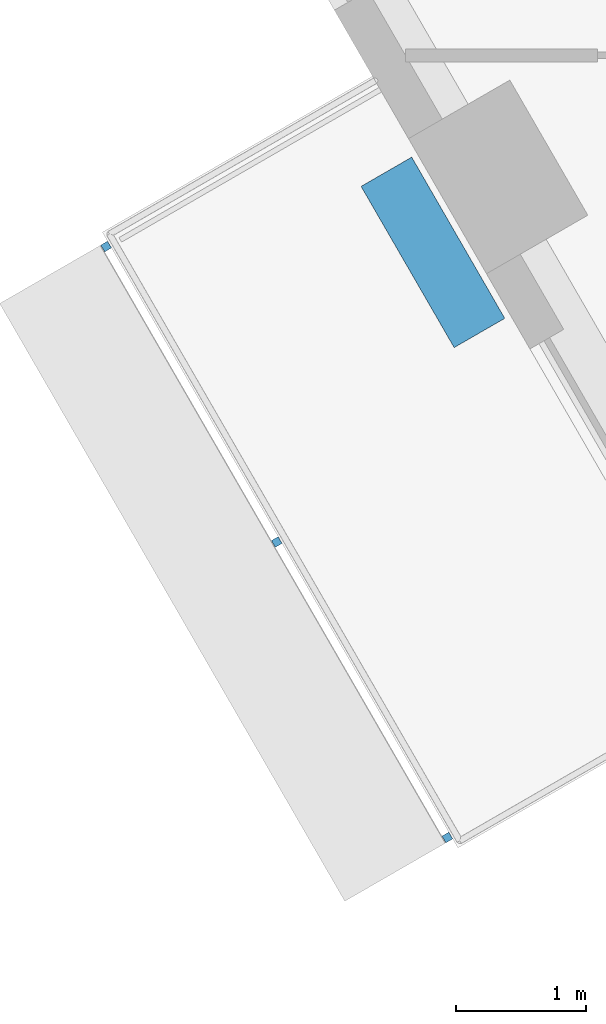
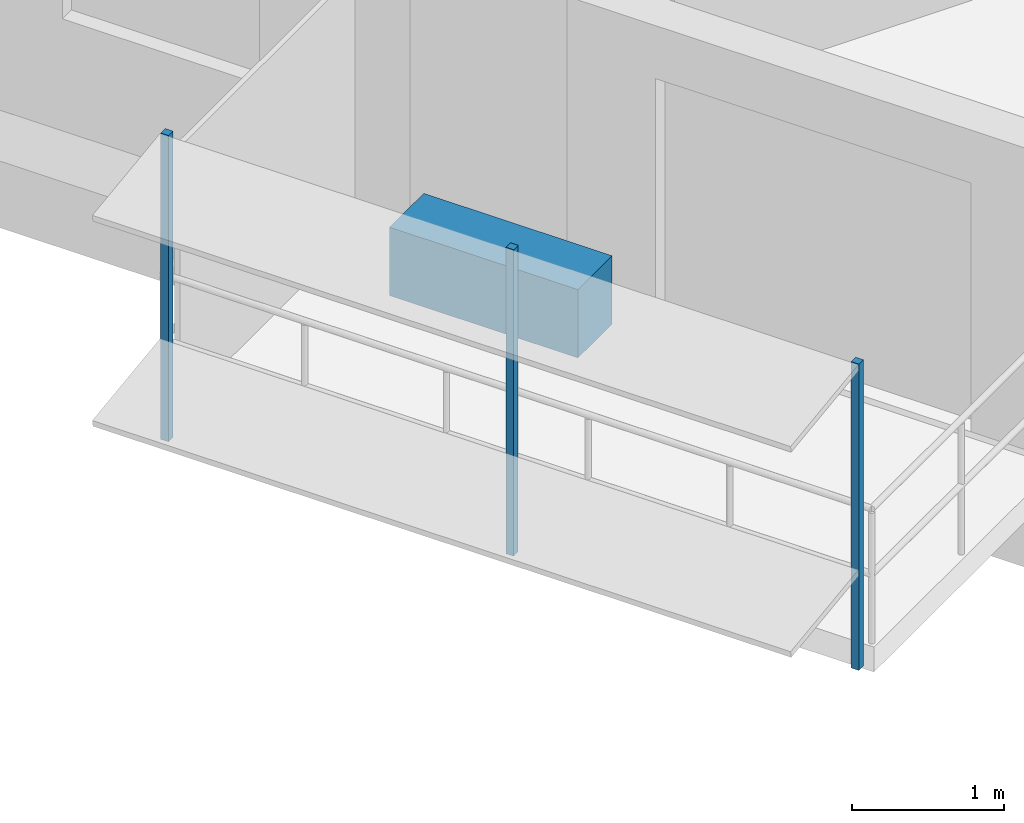
# One storey, part 11 of 18: 4 discrete accessories.
"""IFC4 building model written with IfcOpenShell, lengths in metres."""

import ifcopenshell
import ifcopenshell.guid

model = None  # the IFC model being written
_history = None  # IfcOwnerHistory: only IFC2X3 demands one
_inside = {}  # id of a spatial element -> (the spatial element, [elements in it])
_under = {}  # id of a project, library or spatial element -> (it, [spatial elements below it])
_declared = {}  # id of a project -> (the project, [libraries it declares])
_typed = {}  # id of a type object -> (the type object, [elements of that type])
_made_of = {}  # id of a material, layer set ... -> (it, [elements and type objects made of it])


def new_model(schema):
    """Start an empty IFC model of exactly this schema.

    Asked for "IFC4X3", IfcOpenShell would pick the latest addendum, in which some entities
    have other attributes; the version numbers below select the first issue.
    IFC2X3 requires an IfcOwnerHistory on every rooted entity: one is made here for all.
    """
    global model, _history
    if schema == "IFC4X3":
        model = ifcopenshell.file(schema_version=(4, 3, 0, 0))
    else:
        model = ifcopenshell.file(schema=schema)
    _inside.clear()
    _under.clear()
    _declared.clear()
    _typed.clear()
    _made_of.clear()
    _history = None
    if model.schema == "IFC2X3":
        org = make("IfcOrganization", Name="unknown")
        user = make(
            "IfcPersonAndOrganization",
            ThePerson=make("IfcPerson", FamilyName="unknown"),
            TheOrganization=org,
        )
        app = make(
            "IfcApplication",
            ApplicationDeveloper=org,
            Version="unknown",
            ApplicationFullName="unknown",
            ApplicationIdentifier="unknown",
        )
        _history = make(
            "IfcOwnerHistory",
            OwningUser=user,
            OwningApplication=app,
            ChangeAction="ADDED",
            CreationDate=0,
        )
    return model


def make(cls, **values):
    """One entity of the class cls with the attributes given. An attribute that is None is left unset."""
    return model.create_entity(
        cls, **{name: value for name, value in values.items() if value is not None}
    )


def rooted(cls, **values):
    """An entity with a GlobalId (a new one), such as an element, a storey or a relation."""
    return make(cls, GlobalId=ifcopenshell.guid.new(), OwnerHistory=_history, **values)


def si_unit(unit_type, name, prefix=None):
    """IfcSIUnit, for example si_unit("LENGTHUNIT", "METRE", prefix="MILLI")."""
    return make("IfcSIUnit", UnitType=unit_type, Prefix=prefix, Name=name)


def assignment(units):
    """IfcUnitAssignment: the units of a project."""
    return None if units is None else make("IfcUnitAssignment", Units=units)


def point(xyz):
    """IfcCartesianPoint."""
    return None if xyz is None else make("IfcCartesianPoint", Coordinates=xyz)


def direction(xyz):
    """IfcDirection."""
    return None if xyz is None else make("IfcDirection", DirectionRatios=xyz)


def frame(location, z_axis=None, x_axis=None):
    """IfcAxis2Placement3D, a coordinate frame: its origin and axes. An axis left out is left unset."""
    return make(
        "IfcAxis2Placement3D",
        Location=point(location),
        Axis=direction(z_axis),
        RefDirection=direction(x_axis),
    )


def frame_2d(location, x_axis=None):
    """IfcAxis2Placement2D, a coordinate frame in the plane: its origin and x axis."""
    return make(
        "IfcAxis2Placement2D", Location=point(location), RefDirection=direction(x_axis)
    )


def origin():
    """The frame at (0, 0, 0) with its axes left unset."""
    return frame((0.0, 0.0, 0.0))


def origin_2d():
    """The frame at (0, 0) in the plane with its x axis left unset."""
    return frame_2d((0.0, 0.0))


def place(relative_to, where):
    """IfcLocalPlacement: puts the frame where relative to a parent placement (None: the world)."""
    return make(
        "IfcLocalPlacement", PlacementRelTo=relative_to, RelativePlacement=where
    )


def context(
    kind, dimensions, precision=None, world=None, true_north=None, identifier=None
):
    """IfcGeometricRepresentationContext, for example the 3D "Model" context."""
    return make(
        "IfcGeometricRepresentationContext",
        ContextIdentifier=identifier,
        ContextType=kind,
        CoordinateSpaceDimension=dimensions,
        Precision=precision,
        WorldCoordinateSystem=world,
        TrueNorth=true_north,
    )


def subcontext(parent, identifier, kind, view, scale=None):
    """IfcGeometricRepresentationSubContext, for example "Body" below "Model"."""
    return make(
        "IfcGeometricRepresentationSubContext",
        ContextIdentifier=identifier,
        ContextType=kind,
        ParentContext=parent,
        TargetScale=scale,
        TargetView=view,
    )


def project(units=None, contexts=None):
    """IfcProject with its units and contexts."""
    return rooted(
        "IfcProject",
        Name="project",
        RepresentationContexts=contexts,
        UnitsInContext=assignment(units),
    )


def spatial(cls, under=None, at=None, **own):
    """A site, building, storey or space (cls), placed at a placement, below another one or the project."""
    s = rooted(cls, ObjectPlacement=at, **own)
    if under is not None:
        _under.setdefault(under.id(), (under, []))[1].append(s)
    return s


def profile(cls, at=None, kind="AREA", **sizes):
    """A parametric profile (cls). Its sizes go by their IFC names, for example OverallWidth=200.0."""
    return make(cls, ProfileType=kind, Position=at, **sizes)


def rectangle(**sizes):
    """IfcRectangleProfileDef."""
    return profile("IfcRectangleProfileDef", **sizes)


def extrude(swept, where, along, depth):
    """IfcExtrudedAreaSolid: the profile swept, set in the frame where, extruded along a direction by depth."""
    return make(
        "IfcExtrudedAreaSolid",
        SweptArea=swept,
        Position=where,
        ExtrudedDirection=direction(along),
        Depth=depth,
    )


def shape(context_of_items, identifier, shape_type, items):
    """IfcShapeRepresentation: the items that make up one representation, for example the "Body"."""
    return make(
        "IfcShapeRepresentation",
        ContextOfItems=context_of_items,
        RepresentationIdentifier=identifier,
        RepresentationType=shape_type,
        Items=items,
    )


def material(Name=None, Category=None):
    """IfcMaterial."""
    return make("IfcMaterial", Name=Name, Category=Category)


def made_of(thing, what):
    """Note that an element or type object is made of a material, layer set ...; save() writes the relation."""
    if what is not None:
        _made_of.setdefault(what.id(), (what, []))[1].append(thing)
    return thing


def type_object(cls, material=None, **own):
    """A type object (cls), such as IfcWallType, which elements share."""
    return made_of(rooted(cls, **own), material)


def element(
    cls,
    number,
    at=None,
    inside=None,
    cuts=None,
    type_object=None,
    material=None,
    context=None,
    identifier="Body",
    shape_type=None,
    held_by="IfcProductDefinitionShape",
    body=None,
    shapes=None,
    **own,
):
    """One element of the class cls, such as IfcWall. Its Tag is "e" and its number.

    at: its placement. inside: the storey or other place that contains it. cuts: it is an
    opening in that element (IfcRelVoidsElement). A single representation is given by context,
    identifier, shape_type and body (its items); several are given by shapes. held_by: the class
    of the entity that holds the representations. save() writes the other relations.
    """
    e = rooted(cls, Tag="e%d" % number, ObjectPlacement=at, **own)
    if body is not None:
        shapes = [shape(context, identifier, shape_type, body)]
    if shapes is not None:
        e.Representation = make(held_by, Representations=shapes)
    if inside is not None:
        _inside.setdefault(inside.id(), (inside, []))[1].append(e)
    if cuts is not None:
        rooted(
            "IfcRelVoidsElement", RelatingBuildingElement=cuts, RelatedOpeningElement=e
        )
    if type_object is not None:
        _typed.setdefault(type_object.id(), (type_object, []))[1].append(e)
    return made_of(e, material)


def aggregate(whole, parts):
    """IfcRelAggregates: a whole, such as a stair, and the parts it consists of."""
    return rooted("IfcRelAggregates", RelatingObject=whole, RelatedObjects=parts)


def save(model, path):
    """Write the relations noted so far, then the file.

    IfcRelAggregates (storeys below a building ...), IfcRelContainedInSpatialStructure (elements
    in a storey), IfcRelDefinesByType, IfcRelAssociatesMaterial and IfcRelDeclares: one each for
    every whole, place, type object, material and project.
    """
    for whole, parts in _under.values():
        aggregate(whole, parts)
    for where, things in _inside.values():
        rooted(
            "IfcRelContainedInSpatialStructure",
            RelatedElements=things,
            RelatingStructure=where,
        )
    for kind, things in _typed.values():
        rooted("IfcRelDefinesByType", RelatedObjects=things, RelatingType=kind)
    for what, things in _made_of.values():
        rooted("IfcRelAssociatesMaterial", RelatedObjects=things, RelatingMaterial=what)
    for by, libraries in _declared.values():
        rooted("IfcRelDeclares", RelatingContext=by, RelatedDefinitions=libraries)
    model.write(path)


model = new_model("IFC4")

# Units and contexts
model_context = context("Model", 3, precision=1e-05, world=origin(), true_north=direction((0.0, 1.0)))
body_context = subcontext(model_context, "Body", "Model", "MODEL_VIEW")
ifc_project = project(units=[si_unit("LENGTHUNIT", "METRE"), si_unit("AREAUNIT", "SQUARE_METRE"), si_unit("VOLUMEUNIT", "CUBIC_METRE"), si_unit("PLANEANGLEUNIT", "RADIAN"), si_unit("MASSUNIT", "GRAM", prefix="KILO")], contexts=[model_context])

# Site, building, storey
site_placement = place(None, origin())
site = spatial("IfcSite", under=ifc_project, at=site_placement, CompositionType="ELEMENT")
building_placement = place(site_placement, origin())
building = spatial("IfcBuilding", under=site, at=building_placement, Name="Nakaniwa Court", CompositionType="ELEMENT")
storey_placement = place(building_placement, frame((0.0, 0.0, 176.699951171875)))
storey = spatial("IfcBuildingStorey", under=building, at=storey_placement, Name="L45", CompositionType="ELEMENT", Elevation=176.699951171875)

# Discrete accessories
ifc_material_1 = material(Name="Black powder-coated steel bracket S275", Category="steel")
discrete_accessory_type_1 = type_object("IfcDiscreteAccessoryType", Name="Black metal louvre bracket", PredefinedType="BRACKET", material=ifc_material_1)
for number, where, z_axis, x_axis, name in (
    (1, (57.84423828125, 68.214599609375, -0.229736328125), (0.0, 0.0, 1.0), (0.500016626402, -0.866015804314, 0.0), "L45 louvre bracket 01 1"),
    (2, (59.156982421875, 65.941162109375, -0.229736328125), (0.0, 0.0, 1.0), (0.500016626402, -0.866015804314, 0.0), "L45 louvre bracket 01 2"),
    (3, (60.4697265625, 63.66748046875, -0.229736328125), (0.0, 0.0, 1.0), (0.500016626402, -0.866015804314, 0.0), "L45 louvre bracket 01 3"),
):
    element("IfcDiscreteAccessory", number, at=place(storey_placement, frame(where, z_axis=z_axis, x_axis=x_axis)), inside=storey, type_object=discrete_accessory_type_1, Name=name, PredefinedType="BRACKET", context=body_context, shape_type="SweptSolid", body=[
        extrude(rectangle(XDim=0.06005859375, YDim=0.06005859375, at=origin_2d()), origin(), (0.0, 0.0, 1.0), 2.46337890625),
    ])
ifc_material_2 = material(Name="Precast concrete C40/50 planter with planted soil", Category="concrete")
discrete_accessory_type_2 = type_object("IfcDiscreteAccessoryType", Name="Planter box charcoal concrete", PredefinedType="USERDEFINED", material=ifc_material_2)
discrete_accessory_placement = place(storey_placement, frame((60.358642578125, 68.169677734375, -0.0498046875), z_axis=(0.0, 0.0, 1.0), x_axis=(0.500016626402, -0.866015804314, 0.0)))
element("IfcDiscreteAccessory", 4, at=discrete_accessory_placement, inside=storey, type_object=discrete_accessory_type_2, Name="L45 balcony PLANTER 01", ObjectType="PLANTER", PredefinedType="USERDEFINED", context=body_context, shape_type="SweptSolid", body=[
    extrude(rectangle(XDim=1.432373046875, YDim=0.449951171875, at=origin_2d()), origin(), (0.0, 0.0, 1.0), 0.550048828125),
])

save(model, "model.ifc")
